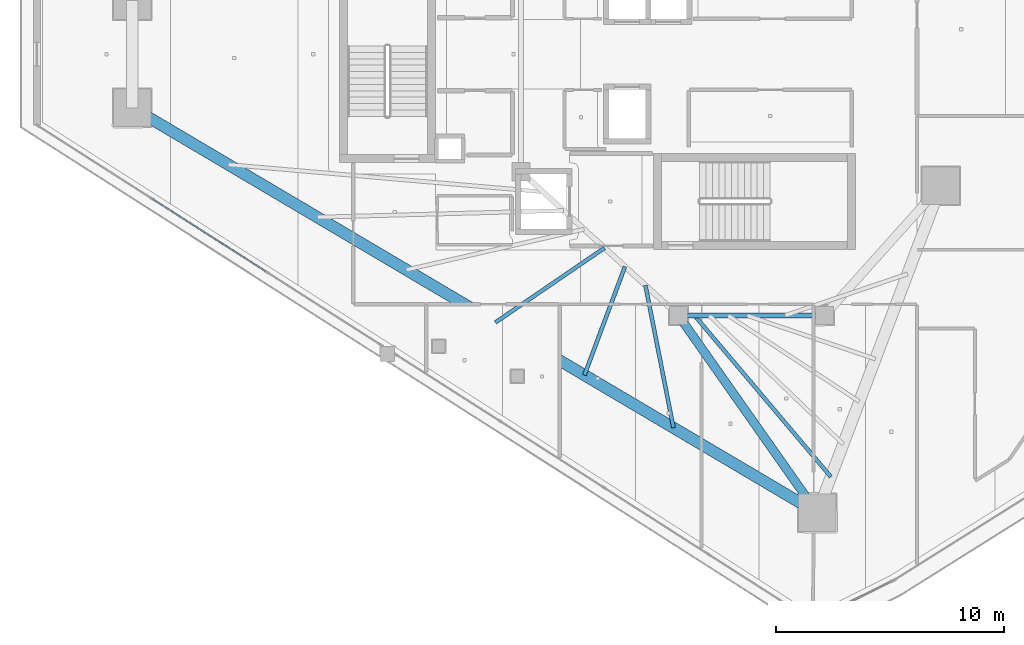
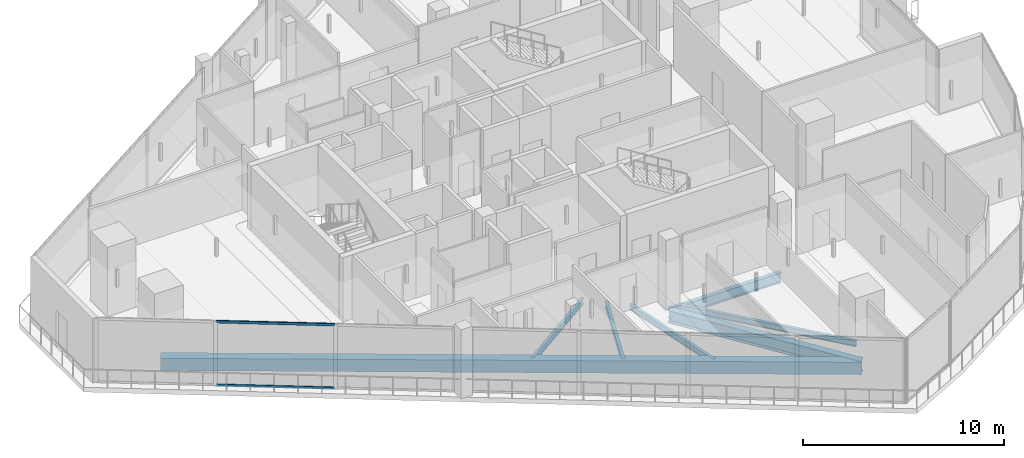
# One storey, part 5 of 33: 7 beams, 2 members, 1 element without a shape of its own.
"""IFC4 building model written with IfcOpenShell, lengths in metres."""

from ifc_helpers import new_model, si_unit, direction, frame, origin, origin_2d, place, context, subcontext, project, spatial, rectangle, hollow_rectangle, i_section, extrude, material, layer, layer_set, material_profile, profile_set, type_object, element, aggregate, save


model = new_model("IFC4")

# Units and contexts
model_context = context("Model", 3, precision=1e-05, world=origin(), true_north=direction((0.0, 1.0)))
body_context = subcontext(model_context, "Body", "Model", "MODEL_VIEW")
ifc_project = project(units=[si_unit("LENGTHUNIT", "METRE"), si_unit("AREAUNIT", "SQUARE_METRE"), si_unit("VOLUMEUNIT", "CUBIC_METRE"), si_unit("PLANEANGLEUNIT", "RADIAN"), si_unit("MASSUNIT", "GRAM", prefix="KILO")], contexts=[model_context])

# Site, building, storey
site_placement = place(None, origin())
site = spatial("IfcSite", under=ifc_project, at=site_placement, CompositionType="ELEMENT")
building_placement = place(site_placement, origin())
building = spatial("IfcBuilding", under=site, at=building_placement, Name="Qorvath Tower", CompositionType="ELEMENT")
storey_placement = place(building_placement, frame((0.0, 0.0, 280.800048828125)))
storey = spatial("IfcBuildingStorey", under=building, at=storey_placement, Name="L65", CompositionType="ELEMENT", Elevation=280.800048828125)

# Beams
ifc_material_1 = material(Name="Steel ASTM A992 Grade 50", Category="steel")
ifc_material_profile_1 = material_profile(ifc_material_1, i_section(OverallWidth=0.381103515625, OverallDepth=0.77294921875, WebThickness=0.0166015625, FlangeThickness=0.027099609375, FilletRadius=0.01904296875, at=origin_2d()), Name="W30x173")
ifc_profile_set_1 = profile_set([ifc_material_profile_1], Name="Steel ASTM A992 Grade 50")
beam_type_1 = type_object("IfcBeamType", Name="BM-FG3", PredefinedType="BEAM", material=ifc_profile_set_1)
beam_1_placement = place(storey_placement, frame((-23.60009765625, -11.449951171875, -0.676513671875), z_axis=(0.575274974004, -0.81796008722, 0.0), x_axis=(0.81796008722, 0.575274974004, 0.0)))
element("IfcBeam", 1, at=beam_1_placement, inside=storey, type_object=beam_type_1, Name="Radial Floor Girder CC4-MC3 L65", PredefinedType="BEAM", context=body_context, shape_type="SweptSolid", body=[
    extrude(i_section(OverallWidth=0.381103515625, OverallDepth=0.77294921875, WebThickness=0.0166015625, FlangeThickness=0.027099609375, FilletRadius=0.01904296875, at=origin_2d()), origin(), (0.0, 0.0, 1.0), 10.5771484375),
])
ifc_material_2 = material(Name="Steel ASTM A992 Grade 50", Category="steel")
ifc_material_profile_2 = material_profile(ifc_material_2, i_section(OverallWidth=0.22998046875, OverallDepth=0.616943359375, WebThickness=0.01318359375, FlangeThickness=0.022216796875, FilletRadius=0.014892578125, at=origin_2d()), Name="W24x94")
ifc_profile_set_2 = profile_set([ifc_material_profile_2], Name="Steel ASTM A992 Grade 50")
beam_type_2 = type_object("IfcBeamType", Name="BM-FG6", PredefinedType="BEAM", material=ifc_profile_set_2)
beam_2_placement = place(storey_placement, frame((-17.199951171875, -11.449951171875, -0.5986328125), z_axis=(-1.0, 0.0, 0.0), x_axis=(0.0, -1.0, 0.0)))
element("IfcBeam", 2, at=beam_2_placement, inside=storey, type_object=beam_type_2, Name="Core Ring Girder CC3-CC4 L65", PredefinedType="BEAM", context=body_context, shape_type="SweptSolid", body=[
    extrude(i_section(OverallWidth=0.22998046875, OverallDepth=0.616943359375, WebThickness=0.01318359375, FlangeThickness=0.022216796875, FilletRadius=0.014892578125, at=origin_2d()), origin(), (0.0, 0.0, 1.0), 6.400146484375),
])
ifc_material_3 = material(Name="Steel ASTM A992 Grade 50", Category="steel")
ifc_material_profile_3 = material_profile(ifc_material_3, i_section(OverallWidth=0.1708984375, OverallDepth=0.35107421875, WebThickness=0.0068359375, FlangeThickness=0.009765625, FilletRadius=0.010009765625, at=origin_2d()), Name="W14x30")
ifc_profile_set_3 = profile_set([ifc_material_profile_3], Name="Steel ASTM A992 Grade 50")
beam_type_3 = type_object("IfcBeamType", Name="BM-FJ4", PredefinedType="JOIST", material=ifc_profile_set_3)
beam_3_placement = place(storey_placement, frame((-22.89599609375, -11.449951171875, -0.465576171875), z_axis=(0.645381885676, -0.763860079885, 0.0), x_axis=(0.763860079885, 0.645381885676, 0.0)))
element("IfcBeam", 3, at=beam_3_placement, inside=storey, type_object=beam_type_3, Name="Composite Floor Joist SE7 L65", PredefinedType="JOIST", context=body_context, shape_type="SweptSolid", body=[
    extrude(i_section(OverallWidth=0.1708984375, OverallDepth=0.35107421875, WebThickness=0.0068359375, FlangeThickness=0.009765625, FilletRadius=0.010009765625, at=origin_2d()), origin(), (0.0, 0.0, 1.0), 9.260498046875),
])
beam_4_placement = place(storey_placement, frame((-26.843017578125, -8.489013671875, -0.465576171875), z_axis=(-0.82557592702, -0.564291049658, 0.0), x_axis=(0.564291049658, -0.82557592702, 0.0)))
element("IfcBeam", 4, at=beam_4_placement, inside=storey, type_object=beam_type_3, Name="Composite Floor Joist SW4 L65", PredefinedType="JOIST", context=body_context, shape_type="SweptSolid", body=[
    extrude(i_section(OverallWidth=0.1708984375, OverallDepth=0.35107421875, WebThickness=0.0068359375, FlangeThickness=0.009765625, FilletRadius=0.010009765625, at=origin_2d()), origin(), (0.0, 0.0, 1.0), 5.793212890625),
])
beam_5_placement = place(storey_placement, frame((-25.946044921875, -9.30810546875, -0.465576171875), z_axis=(-0.349858795354, -0.936802446257, 0.0), x_axis=(0.936802446257, -0.349858795354, 0.0)))
element("IfcBeam", 5, at=beam_5_placement, inside=storey, type_object=beam_type_3, Name="Composite Floor Joist SW5 L65", PredefinedType="JOIST", context=body_context, shape_type="SweptSolid", body=[
    extrude(i_section(OverallWidth=0.1708984375, OverallDepth=0.35107421875, WebThickness=0.0068359375, FlangeThickness=0.009765625, FilletRadius=0.010009765625, at=origin_2d()), origin(), (0.0, 0.0, 1.0), 5.078857421875),
])
beam_6_placement = place(storey_placement, frame((-25.049072265625, -10.126953125, -0.465576171875), z_axis=(0.193040016911, -0.981190884523, 0.0), x_axis=(0.981190884523, 0.193040016911, 0.0)))
element("IfcBeam", 6, at=beam_6_placement, inside=storey, type_object=beam_type_3, Name="Composite Floor Joist SW6 L65", PredefinedType="JOIST", context=body_context, shape_type="SweptSolid", body=[
    extrude(i_section(OverallWidth=0.1708984375, OverallDepth=0.35107421875, WebThickness=0.0068359375, FlangeThickness=0.009765625, FilletRadius=0.010009765625, at=origin_2d()), origin(), (0.0, 0.0, 1.0), 6.366455078125),
])
ifc_material_4 = material(Name="Concrete C45/55", Category="concrete")
ifc_material_profile_4 = material_profile(ifc_material_4, rectangle(XDim=0.5, YDim=0.75, at=origin_2d()), Name="RCB 750x500")
ifc_profile_set_4 = profile_set([ifc_material_profile_4], Name="Concrete C45/55")
beam_type_4 = type_object("IfcBeamType", Name="BM-RCB3", PredefinedType="SPANDREL", material=ifc_profile_set_4)
beam_7_placement = place(storey_placement, frame((-47.53759765625, -2.349609375, -0.6650390625), z_axis=(0.860781425392, -0.50897479083, 0.0), x_axis=(0.50897479083, 0.860781425392, 0.0)))
element("IfcBeam", 7, at=beam_7_placement, inside=storey, type_object=beam_type_4, Name="Perimeter Loggia Frame Beam MC2-MC3 L65", PredefinedType="SPANDREL", context=body_context, shape_type="SweptSolid", body=[
    extrude(rectangle(XDim=0.5, YDim=0.75, at=origin_2d()), origin(), (0.0, 0.0, 1.0), 34.8779296875),
])

# Curtain wall, members
ifc_material_5 = material(Name="Anodised aluminium and triple low-E glass", Category="aluminium")
ifc_layer = layer(ifc_material_5, 0.179931640625)
ifc_layer_set = layer_set([ifc_layer], Name="CW-SYS-4")
curtain_wall_type = type_object("IfcCurtainWallType", Name="CW-SYS-4", PredefinedType="NOTDEFINED", material=ifc_layer_set)
curtain_wall_placement = place(storey_placement, origin())
curtain_wall = element("IfcCurtainWall", 8, at=curtain_wall_placement, inside=storey, type_object=curtain_wall_type, Name="Curtain Wall CW-4 CW-T-L65-2.1", PredefinedType="NOTDEFINED")
ifc_material_6 = material(Name="Anodised aluminium 6063-T6", Category="aluminium")
ifc_material_profile_5 = material_profile(ifc_material_6, hollow_rectangle(XDim=0.06494140625, YDim=0.159912109375, WallThickness=0.00341796875, InnerFilletRadius=0.00341796875, OuterFilletRadius=0.007080078125, at=origin_2d()), Name="CWT 160x65")
ifc_profile_set_5 = profile_set([ifc_material_profile_5], Name="Anodised aluminium 6063-T6")
member_type = type_object("IfcMemberType", Name="CWT-160", PredefinedType="USERDEFINED", material=ifc_profile_set_5)
member_1_placement = place(storey_placement, frame((-46.655029296875, -6.34521484375, 0.032470703125), z_axis=(0.842619650887, -0.538509167925, 0.0), x_axis=(0.538509167925, 0.842619650887, 0.0)))
member_1 = element("IfcMember", 9, at=member_1_placement, type_object=member_type, Name="CW-4 transom 2.1", ObjectType="TRANSOM", PredefinedType="USERDEFINED", context=body_context, shape_type="SweptSolid", body=[
    extrude(hollow_rectangle(XDim=0.06494140625, YDim=0.159912109375, WallThickness=0.00341796875, InnerFilletRadius=0.00341796875, OuterFilletRadius=0.007080078125, at=origin_2d()), origin(), (0.0, 0.0, 1.0), 5.904541015625),
])
member_2_placement = place(storey_placement, frame((-46.655029296875, -6.34521484375, 3.87744140625), z_axis=(0.842619650887, -0.538509167925, 0.0), x_axis=(0.538509167925, 0.842619650887, 0.0)))
member_2 = element("IfcMember", 10, at=member_2_placement, type_object=member_type, Name="CW-4 transom 2.2", ObjectType="TRANSOM", PredefinedType="USERDEFINED", context=body_context, shape_type="SweptSolid", body=[
    extrude(hollow_rectangle(XDim=0.06494140625, YDim=0.159912109375, WallThickness=0.00341796875, InnerFilletRadius=0.00341796875, OuterFilletRadius=0.007080078125, at=origin_2d()), origin(), (0.0, 0.0, 1.0), 5.904541015625),
])
aggregate(curtain_wall, [member_1, member_2])

save(model, "model.ifc")
